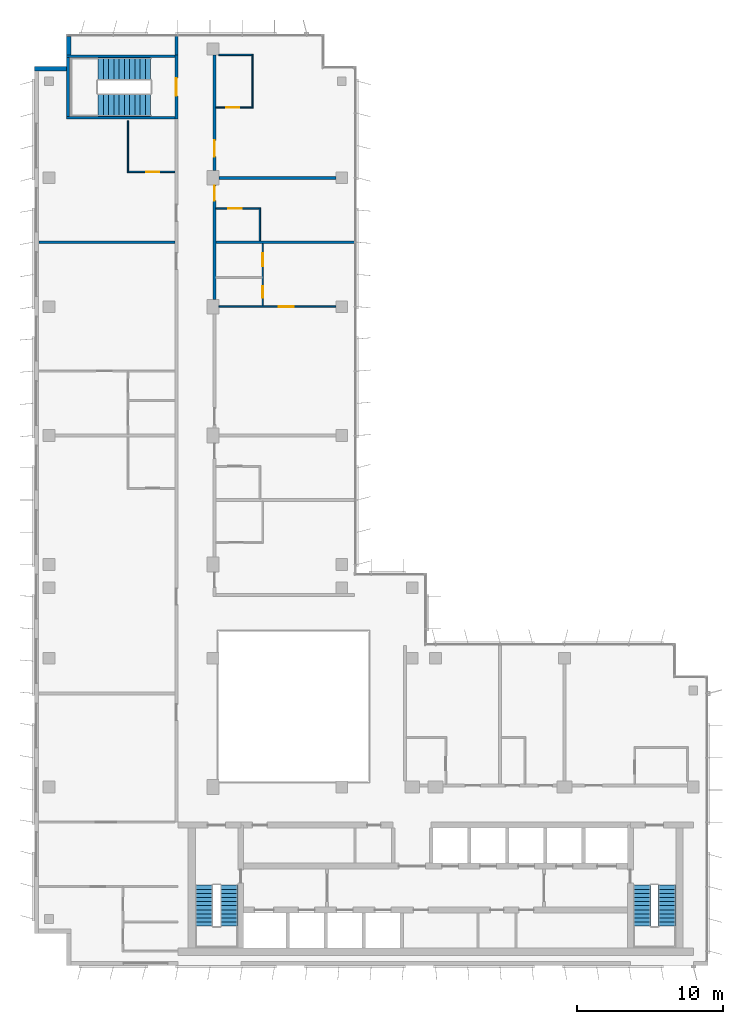
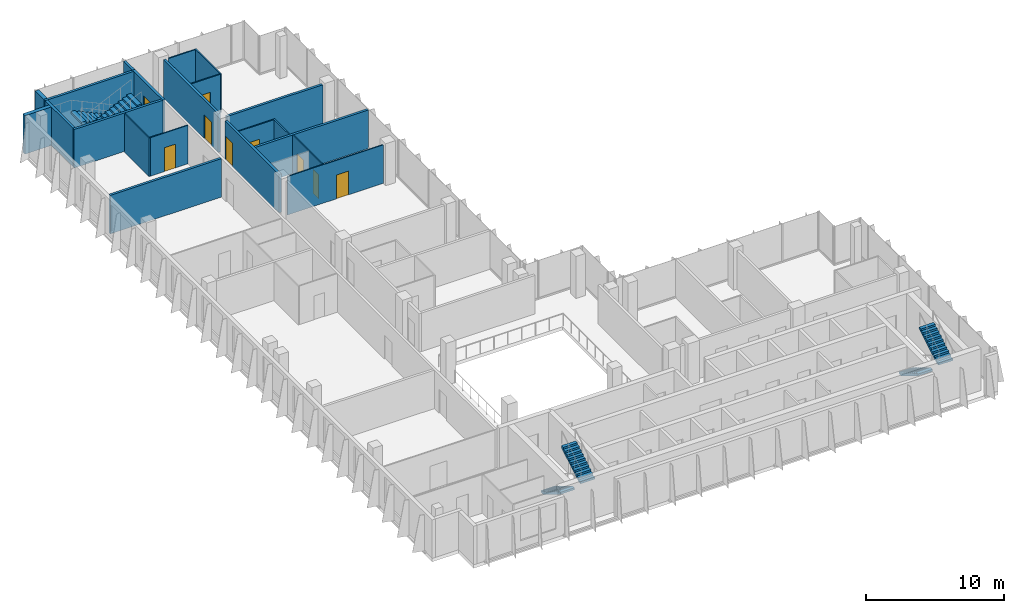
# One storey, part 12 of 15: 21 walls, 9 doors, 6 stair flights, 9 openings, 3 elements without a shape of their own.
"""IFC4 building model written with IfcOpenShell, lengths in metres."""

from ifc_helpers import new_model, si_unit, direction, frame, frame_2d, origin, place, context, subcontext, project, spatial, polyline, rectangle, outline, extrude, material, layer, layer_set, type_object, element, fill, aggregate, save


model = new_model("IFC4")

# Units and contexts
model_context = context("Model", 3, precision=1e-05, world=origin(), true_north=direction((0.0, 1.0)))
body_context = subcontext(model_context, "Body", "Model", "MODEL_VIEW")
ifc_project = project(units=[si_unit("LENGTHUNIT", "METRE"), si_unit("AREAUNIT", "SQUARE_METRE"), si_unit("VOLUMEUNIT", "CUBIC_METRE"), si_unit("PLANEANGLEUNIT", "RADIAN"), si_unit("MASSUNIT", "GRAM", prefix="KILO")], contexts=[model_context])

# Site, building, storey
site_placement = place(None, origin())
site = spatial("IfcSite", under=ifc_project, at=site_placement, CompositionType="ELEMENT")
building_placement = place(site_placement, origin())
building = spatial("IfcBuilding", under=site, at=building_placement, Name="Kemantara Hotel Tower", CompositionType="ELEMENT")
storey_placement = place(building_placement, frame((0.0, 0.0, 237.60009765625)))
storey = spatial("IfcBuildingStorey", under=building, at=storey_placement, Name="L59", CompositionType="ELEMENT", Elevation=237.60009765625)

# Walls
ifc_material_1 = material(Name="Bronze anodised aluminium cladding on insulated steel stud wall", Category="steel")
ifc_layer_1 = layer(ifc_material_1, 0.300048828125)
ifc_layer_set_1 = layer_set([ifc_layer_1], Name="Bronze anodised aluminium cladding on insulated steel stud wall")
wall_type_1 = type_object("IfcWallType", Name="BRONZE METAL-CLAD EXTERNAL WALL 300", PredefinedType="STANDARD", material=ifc_layer_set_1)
wall_1_placement = place(storey_placement, frame((2.35009765625, 63.449951171875, 0.0), z_axis=(0.0, 0.0, 1.0), x_axis=(0.0, -1.0, 0.0)))
element("IfcWall", 1, at=wall_1_placement, inside=storey, type_object=wall_type_1, Name="EXTERNAL WALL L59 T4-R03", PredefinedType="STANDARD", context=body_context, shape_type="SweptSolid", body=[
    extrude(rectangle(XDim=1.25, YDim=0.300048828125, at=frame_2d((0.625, 0.0))), origin(), (0.0, 0.0, 1.0), 3.39990234375),
])
wall_2_placement = place(storey_placement, frame((2.199951171875, 61.25, 0.0), z_axis=(0.0, 0.0, 1.0), x_axis=(-1.0, 0.0, 0.0)))
element("IfcWall", 2, at=wall_2_placement, inside=storey, type_object=wall_type_1, Name="EXTERNAL WALL L59 T4-R04", PredefinedType="STANDARD", context=body_context, shape_type="SweptSolid", body=[
    extrude(rectangle(XDim=2.199951171875, YDim=0.300048828125, at=frame_2d((1.10009765625, 0.0))), origin(), (0.0, 0.0, 1.0), 3.39990234375),
])
ifc_material_2 = material(Name="Gypsum board partition, steel studs and mineral wool, 200 mm", Category="steel")
ifc_layer_2 = layer(ifc_material_2, 0.199951171875)
ifc_layer_set_2 = layer_set([ifc_layer_2], Name="Gypsum board partition, steel studs and mineral wool, 200 mm")
wall_type_2 = type_object("IfcWallType", Name="CORRIDOR WALL 200", PredefinedType="PARTITIONING", material=ifc_layer_set_2)
wall_3_placement = place(storey_placement, frame((9.699951171875, 62.199951171875, 0.0), z_axis=(0.0, 0.0, 1.0), x_axis=(0.0, 1.0, 0.0)))
element("IfcWall", 3, at=wall_3_placement, inside=storey, type_object=wall_type_2, Name="CORRIDOR WALL 200 008", PredefinedType="PARTITIONING", context=body_context, shape_type="SweptSolid", body=[
    extrude(rectangle(XDim=1.280029296875, YDim=0.199951171875, at=frame_2d((0.64013671875, 0.0))), origin(), (0.0, 0.0, 1.0), 3.39990234375),
])

# Wall, opening, door
wall_4_placement = place(storey_placement, frame((12.300048828125, 53.2998046875, 0.0), z_axis=(0.0, 0.0, 1.0), x_axis=(0.0, -1.0, 0.0)))
wall_4 = element("IfcWall", 4, at=wall_4_placement, inside=storey, type_object=wall_type_2, Name="CORRIDOR WALL 200 017", PredefinedType="PARTITIONING", context=body_context, shape_type="SweptSolid", body=[
    extrude(rectangle(XDim=7.7998046875, YDim=0.199951171875, at=frame_2d((3.89990234375, 0.0))), origin(), (0.0, 0.0, 1.0), 3.39990234375),
])
opening_1_placement = place(wall_4_placement, frame((0.0498046875, 0.0, 0.0)))
opening_1 = element("IfcOpeningElement", 5, at=opening_1_placement, cuts=wall_4, Name="Opening F29-028", PredefinedType="OPENING", context=body_context, shape_type="SweptSolid", body=[
    extrude(rectangle(XDim=1.0, YDim=2.10009765625, at=frame_2d((0.5, 1.050048828125))), frame((0.0, 0.10986328125, 0.0), z_axis=(0.0, -1.0, 0.0), x_axis=(1.0, 0.0, 0.0)), (0.0, 0.0, 1.0), 0.219970703125),
])
ifc_material_3 = material(Name="Hardwood veneer door leaf with steel frame", Category="steel")
door_type_1 = type_object("IfcDoorType", Name="GUEST ROOM DOOR 1000 X 2100 FD30S", OperationType="NOTDEFINED", PredefinedType="DOOR", material=ifc_material_3)
door_1_placement = place(opening_1_placement, origin())
door_1 = element("IfcDoor", 6, at=door_1_placement, inside=storey, type_object=door_type_1, Name="GUEST ROOM DOOR F29-028", OperationType="SINGLE_SWING_LEFT", OverallHeight=2.10009765625, OverallWidth=1.0, PredefinedType="DOOR", context=body_context, shape_type="SweptSolid", body=[
    extrude(rectangle(XDim=1.0, YDim=2.10009765625, at=frame_2d((0.5, 1.050048828125))), frame((0.0, 0.02490234375, 0.0), z_axis=(0.0, -1.0, 0.0), x_axis=(1.0, 0.0, 0.0)), (0.0, 0.0, 1.0), 0.050048828125),
])
fill(opening_1, door_1)

wall_5_placement = place(storey_placement, frame((12.300048828125, 62.199951171875, 0.0), z_axis=(0.0, 0.0, 1.0), x_axis=(0.0, -1.0, 0.0)))
wall_5 = element("IfcWall", 7, at=wall_5_placement, inside=storey, type_object=wall_type_2, Name="CORRIDOR WALL 200 018", PredefinedType="PARTITIONING", context=body_context, shape_type="SweptSolid", body=[
    extrude(rectangle(XDim=7.89990234375, YDim=0.199951171875, at=frame_2d((3.949951171875, 0.0))), origin(), (0.0, 0.0, 1.0), 3.39990234375),
])
opening_2_placement = place(wall_5_placement, frame((5.849853515625, 0.0, 0.0)))
opening_2 = element("IfcOpeningElement", 8, at=opening_2_placement, cuts=wall_5, Name="Opening F29-030", PredefinedType="OPENING", context=body_context, shape_type="SweptSolid", body=[
    extrude(rectangle(XDim=1.10009765625, YDim=2.10009765625, at=frame_2d((0.550048828125, 1.050048828125))), frame((0.0, 0.10986328125, 0.0), z_axis=(0.0, -1.0, 0.0), x_axis=(1.0, 0.0, 0.0)), (0.0, 0.0, 1.0), 0.219970703125),
])
door_type_2 = type_object("IfcDoorType", Name="SUITE ENTRANCE DOOR 1100 X 2100 FD30S", OperationType="NOTDEFINED", PredefinedType="DOOR", material=ifc_material_3)
door_2_placement = place(opening_2_placement, origin())
door_2 = element("IfcDoor", 9, at=door_2_placement, inside=storey, type_object=door_type_2, Name="SUITE ENTRANCE DOOR F29-030", OperationType="SINGLE_SWING_RIGHT", OverallHeight=2.10009765625, OverallWidth=1.10009765625, PredefinedType="DOOR", context=body_context, shape_type="SweptSolid", body=[
    extrude(rectangle(XDim=1.10009765625, YDim=2.10009765625, at=frame_2d((0.550048828125, 1.050048828125))), frame((0.0, 0.02490234375, 0.0), z_axis=(0.0, -1.0, 0.0), x_axis=(1.0, 0.0, 0.0)), (0.0, 0.0, 1.0), 0.050048828125),
])
fill(opening_2, door_2)

ifc_material_4 = material(Name="Concrete fc 40 MPa", Category="concrete")
ifc_layer_3 = layer(ifc_material_4, 0.199951171875)
ifc_layer_set_3 = layer_set([ifc_layer_3], Name="Concrete fc 40 MPa")
wall_type_3 = type_object("IfcWallType", Name="Concrete stair wall 200 mm", PredefinedType="SHEAR", material=ifc_layer_set_3)
wall_6_placement = place(storey_placement, frame((9.699951171875, 57.800048828125, 0.0), z_axis=(0.0, 0.0, 1.0), x_axis=(0.0, 1.0, 0.0)))
wall_6 = element("IfcWall", 10, at=wall_6_placement, inside=storey, type_object=wall_type_3, Name="Stair ST4 enclosure wall with door", PredefinedType="SHEAR", context=body_context, shape_type="SweptSolid", body=[
    extrude(rectangle(XDim=4.39990234375, YDim=0.199951171875, at=frame_2d((2.199951171875, 0.0))), origin(), (0.0, 0.0, 1.0), 3.39990234375),
])
opening_3_placement = place(wall_6_placement, frame((1.60009765625, 0.0, 0.0)))
opening_3 = element("IfcOpeningElement", 11, at=opening_3_placement, cuts=wall_6, Name="Opening ST4-C", PredefinedType="OPENING", context=body_context, shape_type="SweptSolid", body=[
    extrude(rectangle(XDim=1.199951171875, YDim=2.10009765625, at=frame_2d((0.60009765625, 1.050048828125))), frame((0.0, 0.10986328125, 0.0), z_axis=(0.0, -1.0, 0.0), x_axis=(1.0, 0.0, 0.0)), (0.0, 0.0, 1.0), 0.219970703125),
])
ifc_material_5 = material(Name="Steel fire door", Category="steel")
door_type_3 = type_object("IfcDoorType", Name="Fire door FD90 1200 x 2100", OperationType="NOTDEFINED", PredefinedType="DOOR", material=ifc_material_5)
door_3_placement = place(opening_3_placement, origin())
door_3 = element("IfcDoor", 12, at=door_3_placement, inside=storey, type_object=door_type_3, Name="Stair ST4 door", OperationType="SINGLE_SWING_RIGHT", OverallHeight=2.10009765625, OverallWidth=1.199951171875, PredefinedType="DOOR", context=body_context, shape_type="SweptSolid", body=[
    extrude(rectangle(XDim=1.199951171875, YDim=2.10009765625, at=frame_2d((0.60009765625, 1.050048828125))), frame((0.0, 0.02490234375, 0.0), z_axis=(0.0, -1.0, 0.0), x_axis=(1.0, 0.0, 0.0)), (0.0, 0.0, 1.0), 0.050048828125),
])
fill(opening_3, door_3)

# Walls
for number, where, z_axis, x_axis, name in (
    (13, (2.199951171875, 62.10009765625, 0.0), (0.0, 0.0, 1.0), (1.0, 0.0, 0.0), "Stair ST4 enclosure wall N"),
    (14, (2.199951171875, 57.89990234375, 0.0), (0.0, 0.0, 1.0), (1.0, 0.0, 0.0), "Stair ST4 enclosure wall S"),
):
    element("IfcWall", number, at=place(storey_placement, frame(where, z_axis=z_axis, x_axis=x_axis)), inside=storey, type_object=wall_type_3, Name=name, PredefinedType="SHEAR", context=body_context, shape_type="SweptSolid", body=[
        extrude(rectangle(XDim=7.400146484375, YDim=0.199951171875, at=frame_2d((3.7001953125, 0.0))), origin(), (0.0, 0.0, 1.0), 3.39990234375),
    ])
wall_7_placement = place(storey_placement, frame((2.300048828125, 58.0, 0.0), z_axis=(0.0, 0.0, 1.0), x_axis=(0.0, 1.0, 0.0)))
element("IfcWall", 15, at=wall_7_placement, inside=storey, type_object=wall_type_3, Name="Stair ST4 enclosure wall W", PredefinedType="SHEAR", context=body_context, shape_type="SweptSolid", body=[
    extrude(rectangle(XDim=4.0, YDim=0.199951171875, at=frame_2d((2.0, 0.0))), origin(), (0.0, 0.0, 1.0), 3.39990234375),
])
ifc_layer_4 = layer(ifc_material_2, 0.199951171875)
ifc_layer_set_4 = layer_set([ifc_layer_4], Name="Gypsum board partition, steel studs and mineral wool, 200 mm")
wall_type_4 = type_object("IfcWallType", Name="GUEST ROOM PARTY WALL 200", PredefinedType="PARTITIONING", material=ifc_layer_set_4)
wall_8_placement = place(storey_placement, frame((0.31005859375, 49.39990234375, 0.0), z_axis=(0.0, 0.0, 1.0), x_axis=(1.0, 0.0, 0.0)))
element("IfcWall", 16, at=wall_8_placement, inside=storey, type_object=wall_type_4, Name="GUEST ROOM PARTY WALL 200 012", PredefinedType="PARTITIONING", context=body_context, shape_type="SweptSolid", body=[
    extrude(rectangle(XDim=9.2900390625, YDim=0.199951171875, at=frame_2d((4.64501953125, 0.0))), origin(), (0.0, 0.0, 1.0), 3.39990234375),
])
wall_9_placement = place(storey_placement, frame((12.39990234375, 49.39990234375, 0.0), z_axis=(0.0, 0.0, 1.0), x_axis=(1.0, 0.0, 0.0)))
element("IfcWall", 17, at=wall_9_placement, inside=storey, type_object=wall_type_4, Name="GUEST ROOM PARTY WALL 200 013", PredefinedType="PARTITIONING", context=body_context, shape_type="SweptSolid", body=[
    extrude(rectangle(XDim=9.47021484375, YDim=0.199951171875, at=frame_2d((4.735107421875, 0.0))), origin(), (0.0, 0.0, 1.0), 3.39990234375),
])
wall_10_placement = place(storey_placement, frame((12.60009765625, 53.800048828125, 0.0), z_axis=(0.0, 0.0, 1.0), x_axis=(1.0, 0.0, 0.0)))
element("IfcWall", 18, at=wall_10_placement, inside=storey, type_object=wall_type_4, Name="GUEST ROOM PARTY WALL 200 021", PredefinedType="PARTITIONING", context=body_context, shape_type="SweptSolid", body=[
    extrude(rectangle(XDim=7.999755859375, YDim=0.199951171875, at=frame_2d((4.0, 0.0))), origin(), (0.0, 0.0, 1.0), 3.39990234375),
])
ifc_material_6 = material(Name="Gypsum board partition on steel studs, 100 mm", Category="steel")
ifc_layer_5 = layer(ifc_material_6, 0.10009765625)
ifc_layer_set_5 = layer_set([ifc_layer_5], Name="Gypsum board partition on steel studs, 100 mm")
wall_type_5 = type_object("IfcWallType", Name="ROOM PARTITION 100", PredefinedType="PARTITIONING", material=ifc_layer_set_5)
wall_11_placement = place(storey_placement, frame((6.39990234375, 54.14990234375, 0.0), z_axis=(0.0, 0.0, 1.0), x_axis=(0.0, 1.0, 0.0)))
element("IfcWall", 19, at=wall_11_placement, inside=storey, type_object=wall_type_5, Name="ROOM PARTITION 100 036", PredefinedType="PARTITIONING", context=body_context, shape_type="SweptSolid", body=[
    extrude(rectangle(XDim=3.550048828125, YDim=0.10009765625, at=frame_2d((1.77490234375, 0.0))), origin(), (0.0, 0.0, 1.0), 3.39990234375),
])

# Wall, opening, door
wall_12_placement = place(storey_placement, frame((6.449951171875, 54.199951171875, 0.0), z_axis=(0.0, 0.0, 1.0), x_axis=(1.0, 0.0, 0.0)))
wall_12 = element("IfcWall", 20, at=wall_12_placement, inside=storey, type_object=wall_type_5, Name="ROOM PARTITION 100 040", PredefinedType="PARTITIONING", context=body_context, shape_type="SweptSolid", body=[
    extrude(rectangle(XDim=3.150146484375, YDim=0.10009765625, at=frame_2d((1.5751953125, 0.0))), origin(), (0.0, 0.0, 1.0), 3.39990234375),
])
opening_4_placement = place(wall_12_placement, frame((1.199951171875, 0.0, 0.0)))
opening_4 = element("IfcOpeningElement", 21, at=opening_4_placement, cuts=wall_12, Name="Opening F29-019", PredefinedType="OPENING", context=body_context, shape_type="SweptSolid", body=[
    extrude(rectangle(XDim=0.89990234375, YDim=2.10009765625, at=frame_2d((0.449951171875, 1.050048828125))), frame((0.0, 0.06005859375, 0.0), z_axis=(0.0, -1.0, 0.0), x_axis=(1.0, 0.0, 0.0)), (0.0, 0.0, 1.0), 0.1201171875),
])
door_type_4 = type_object("IfcDoorType", Name="BATHROOM DOOR 900 X 2100", OperationType="NOTDEFINED", PredefinedType="DOOR", material=ifc_material_3)
door_4_placement = place(opening_4_placement, origin())
door_4 = element("IfcDoor", 22, at=door_4_placement, inside=storey, type_object=door_type_4, Name="BATHROOM DOOR F29-019", OperationType="SINGLE_SWING_RIGHT", OverallHeight=2.10009765625, OverallWidth=0.89990234375, PredefinedType="DOOR", context=body_context, shape_type="SweptSolid", body=[
    extrude(rectangle(XDim=0.89990234375, YDim=2.10009765625, at=frame_2d((0.449951171875, 1.050048828125))), frame((0.0, 0.02490234375, 0.0), z_axis=(0.0, -1.0, 0.0), x_axis=(1.0, 0.0, 0.0)), (0.0, 0.0, 1.0), 0.050048828125),
])
fill(opening_4, door_4)

# Wall, openings, doors
wall_13_placement = place(storey_placement, frame((15.60009765625, 45.050048828125, 0.0), z_axis=(0.0, 0.0, 1.0), x_axis=(0.0, 1.0, 0.0)))
wall_13 = element("IfcWall", 23, at=wall_13_placement, inside=storey, type_object=wall_type_5, Name="ROOM PARTITION 100 042", PredefinedType="PARTITIONING", context=body_context, shape_type="SweptSolid", body=[
    extrude(rectangle(XDim=4.25, YDim=0.10009765625, at=frame_2d((2.125, 0.0))), origin(), (0.0, 0.0, 1.0), 3.39990234375),
])
opening_5_placement = place(wall_13_placement, frame((2.699951171875, 0.0, 0.0)))
opening_5 = element("IfcOpeningElement", 24, at=opening_5_placement, cuts=wall_13, Name="Opening F29-026", PredefinedType="OPENING", context=body_context, shape_type="SweptSolid", body=[
    extrude(rectangle(XDim=0.89990234375, YDim=2.10009765625, at=frame_2d((0.449951171875, 1.050048828125))), frame((0.0, 0.06005859375, 0.0), z_axis=(0.0, -1.0, 0.0), x_axis=(1.0, 0.0, 0.0)), (0.0, 0.0, 1.0), 0.1201171875),
])
opening_6_placement = place(wall_13_placement, frame((0.550048828125, 0.0, 0.0)))
opening_6 = element("IfcOpeningElement", 25, at=opening_6_placement, cuts=wall_13, Name="Opening F29-027", PredefinedType="OPENING", context=body_context, shape_type="SweptSolid", body=[
    extrude(rectangle(XDim=0.800048828125, YDim=2.10009765625, at=frame_2d((0.39990234375, 1.050048828125))), frame((0.0, 0.06005859375, 0.0), z_axis=(0.0, -1.0, 0.0), x_axis=(1.0, 0.0, 0.0)), (0.0, 0.0, 1.0), 0.1201171875),
])
door_5_placement = place(opening_5_placement, origin())
door_5 = element("IfcDoor", 26, at=door_5_placement, inside=storey, type_object=door_type_4, Name="BATHROOM DOOR F29-026", OperationType="SINGLE_SWING_LEFT", OverallHeight=2.10009765625, OverallWidth=0.89990234375, PredefinedType="DOOR", context=body_context, shape_type="SweptSolid", body=[
    extrude(rectangle(XDim=0.89990234375, YDim=2.10009765625, at=frame_2d((0.449951171875, 1.050048828125))), frame((0.0, 0.02490234375, 0.0), z_axis=(0.0, -1.0, 0.0), x_axis=(1.0, 0.0, 0.0)), (0.0, 0.0, 1.0), 0.050048828125),
])
fill(opening_5, door_5)
door_type_5 = type_object("IfcDoorType", Name="WARDROBE DOOR 800 X 2100", OperationType="NOTDEFINED", PredefinedType="DOOR", material=ifc_material_3)
door_6_placement = place(opening_6_placement, origin())
door_6 = element("IfcDoor", 27, at=door_6_placement, inside=storey, type_object=door_type_5, Name="WARDROBE DOOR F29-027", OperationType="SINGLE_SWING_LEFT", OverallHeight=2.10009765625, OverallWidth=0.800048828125, PredefinedType="DOOR", context=body_context, shape_type="SweptSolid", body=[
    extrude(rectangle(XDim=0.800048828125, YDim=2.10009765625, at=frame_2d((0.39990234375, 1.050048828125))), frame((0.0, 0.02490234375, 0.0), z_axis=(0.0, -1.0, 0.0), x_axis=(1.0, 0.0, 0.0)), (0.0, 0.0, 1.0), 0.050048828125),
])
fill(opening_6, door_6)

# Wall
wall_14_placement = place(storey_placement, frame((15.39990234375, 49.5, 0.0), z_axis=(0.0, 0.0, 1.0), x_axis=(0.0, 1.0, 0.0)))
element("IfcWall", 28, at=wall_14_placement, inside=storey, type_object=wall_type_5, Name="ROOM PARTITION 100 045", PredefinedType="PARTITIONING", context=body_context, shape_type="SweptSolid", body=[
    extrude(rectangle(XDim=2.25, YDim=0.10009765625, at=frame_2d((1.125, 0.0))), origin(), (0.0, 0.0, 1.0), 3.39990234375),
])

# Wall, opening, door
wall_15_placement = place(storey_placement, frame((12.60009765625, 45.0, 0.0), z_axis=(0.0, 0.0, 1.0), x_axis=(1.0, 0.0, 0.0)))
wall_15 = element("IfcWall", 29, at=wall_15_placement, inside=storey, type_object=wall_type_5, Name="ROOM PARTITION 100 047", PredefinedType="PARTITIONING", context=body_context, shape_type="SweptSolid", body=[
    extrude(rectangle(XDim=7.999755859375, YDim=0.10009765625, at=frame_2d((4.0, 0.0))), origin(), (0.0, 0.0, 1.0), 3.39990234375),
])
opening_7_placement = place(wall_15_placement, frame((4.099853515625, 0.0, 0.0)))
opening_7 = element("IfcOpeningElement", 30, at=opening_7_placement, cuts=wall_15, Name="Opening F29-025", PredefinedType="OPENING", context=body_context, shape_type="SweptSolid", body=[
    extrude(rectangle(XDim=1.0, YDim=2.10009765625, at=frame_2d((0.5, 1.050048828125))), frame((0.0, 0.06005859375, 0.0), z_axis=(0.0, -1.0, 0.0), x_axis=(1.0, 0.0, 0.0)), (0.0, 0.0, 1.0), 0.1201171875),
])
door_type_6 = type_object("IfcDoorType", Name="INTERNAL DOOR 1000 X 2100", OperationType="NOTDEFINED", PredefinedType="DOOR", material=ifc_material_3)
door_7_placement = place(opening_7_placement, origin())
door_7 = element("IfcDoor", 31, at=door_7_placement, inside=storey, type_object=door_type_6, Name="INTERNAL DOOR F29-025", OperationType="SINGLE_SWING_LEFT", OverallHeight=2.10009765625, OverallWidth=1.0, PredefinedType="DOOR", context=body_context, shape_type="SweptSolid", body=[
    extrude(rectangle(XDim=1.0, YDim=2.10009765625, at=frame_2d((0.5, 1.050048828125))), frame((0.0, 0.02490234375, 0.0), z_axis=(0.0, -1.0, 0.0), x_axis=(1.0, 0.0, 0.0)), (0.0, 0.0, 1.0), 0.050048828125),
])
fill(opening_7, door_7)

wall_16_placement = place(storey_placement, frame((15.35009765625, 51.699951171875, 0.0), z_axis=(0.0, 0.0, 1.0), x_axis=(-1.0, 0.0, 0.0)))
wall_16 = element("IfcWall", 32, at=wall_16_placement, inside=storey, type_object=wall_type_5, Name="ROOM PARTITION 100 049", PredefinedType="PARTITIONING", context=body_context, shape_type="SweptSolid", body=[
    extrude(rectangle(XDim=2.9501953125, YDim=0.10009765625, at=frame_2d((1.47509765625, 0.0))), origin(), (0.0, 0.0, 1.0), 3.39990234375),
])
opening_8_placement = place(wall_16_placement, frame((1.199951171875, 0.0, 0.0)))
opening_8 = element("IfcOpeningElement", 33, at=opening_8_placement, cuts=wall_16, Name="Opening F29-029", PredefinedType="OPENING", context=body_context, shape_type="SweptSolid", body=[
    extrude(rectangle(XDim=0.89990234375, YDim=2.10009765625, at=frame_2d((0.449951171875, 1.050048828125))), frame((0.0, 0.06005859375, 0.0), z_axis=(0.0, -1.0, 0.0), x_axis=(1.0, 0.0, 0.0)), (0.0, 0.0, 1.0), 0.1201171875),
])
door_8_placement = place(opening_8_placement, origin())
door_8 = element("IfcDoor", 34, at=door_8_placement, inside=storey, type_object=door_type_4, Name="BATHROOM DOOR F29-029", OperationType="SINGLE_SWING_RIGHT", OverallHeight=2.10009765625, OverallWidth=0.89990234375, PredefinedType="DOOR", context=body_context, shape_type="SweptSolid", body=[
    extrude(rectangle(XDim=0.89990234375, YDim=2.10009765625, at=frame_2d((0.449951171875, 1.050048828125))), frame((0.0, 0.02490234375, 0.0), z_axis=(0.0, -1.0, 0.0), x_axis=(1.0, 0.0, 0.0)), (0.0, 0.0, 1.0), 0.050048828125),
])
fill(opening_8, door_8)

# Wall
wall_17_placement = place(storey_placement, frame((14.89990234375, 58.550048828125, 0.0), z_axis=(0.0, 0.0, 1.0), x_axis=(0.0, 1.0, 0.0)))
element("IfcWall", 35, at=wall_17_placement, inside=storey, type_object=wall_type_5, Name="ROOM PARTITION 100 050", PredefinedType="PARTITIONING", context=body_context, shape_type="SweptSolid", body=[
    extrude(rectangle(XDim=3.699951171875, YDim=0.10009765625, at=frame_2d((1.85009765625, 0.0))), origin(), (0.0, 0.0, 1.0), 3.39990234375),
])

# Wall, opening, door
wall_18_placement = place(storey_placement, frame((12.39990234375, 58.60009765625, 0.0), z_axis=(0.0, 0.0, 1.0), x_axis=(1.0, 0.0, 0.0)))
wall_18 = element("IfcWall", 36, at=wall_18_placement, inside=storey, type_object=wall_type_5, Name="ROOM PARTITION 100 051", PredefinedType="PARTITIONING", context=body_context, shape_type="SweptSolid", body=[
    extrude(rectangle(XDim=2.4501953125, YDim=0.10009765625, at=frame_2d((1.22509765625, 0.0))), origin(), (0.0, 0.0, 1.0), 3.39990234375),
])
opening_9_placement = place(wall_18_placement, frame((0.699951171875, 0.0, 0.0)))
opening_9 = element("IfcOpeningElement", 37, at=opening_9_placement, cuts=wall_18, Name="Opening F29-031", PredefinedType="OPENING", context=body_context, shape_type="SweptSolid", body=[
    extrude(rectangle(XDim=0.89990234375, YDim=2.10009765625, at=frame_2d((0.449951171875, 1.050048828125))), frame((0.0, 0.06005859375, 0.0), z_axis=(0.0, -1.0, 0.0), x_axis=(1.0, 0.0, 0.0)), (0.0, 0.0, 1.0), 0.1201171875),
])
door_9_placement = place(opening_9_placement, origin())
door_9 = element("IfcDoor", 38, at=door_9_placement, inside=storey, type_object=door_type_4, Name="BATHROOM DOOR F29-031", OperationType="SINGLE_SWING_LEFT", OverallHeight=2.10009765625, OverallWidth=0.89990234375, PredefinedType="DOOR", context=body_context, shape_type="SweptSolid", body=[
    extrude(rectangle(XDim=0.89990234375, YDim=2.10009765625, at=frame_2d((0.449951171875, 1.050048828125))), frame((0.0, 0.02490234375, 0.0), z_axis=(0.0, -1.0, 0.0), x_axis=(1.0, 0.0, 0.0)), (0.0, 0.0, 1.0), 0.050048828125),
])
fill(opening_9, door_9)

# Wall
wall_19_placement = place(storey_placement, frame((12.60009765625, 62.199951171875, 0.0), z_axis=(0.0, 0.0, 1.0), x_axis=(1.0, 0.0, 0.0)))
element("IfcWall", 39, at=wall_19_placement, inside=storey, type_object=wall_type_5, Name="ROOM PARTITION 100 052", PredefinedType="PARTITIONING", context=body_context, shape_type="SweptSolid", body=[
    extrude(rectangle(XDim=2.25, YDim=0.10009765625, at=frame_2d((1.125, 0.0))), origin(), (0.0, 0.0, 1.0), 3.39990234375),
])

# Stair, stair flights
stair_type_1 = type_object("IfcStairType", Name="Stair 1200 wide 22 risers of 168 x 280 mm", PredefinedType="HALF_TURN_STAIR", material=ifc_material_4)
stair_1_placement = place(storey_placement, origin())
stair_1 = element("IfcStair", 40, at=stair_1_placement, inside=storey, type_object=stair_type_1, Name="L59 Exit stair ST1", PredefinedType="HALF_TURN_STAIR")
stair_flight_type_1 = type_object("IfcStairFlightType", Name="Stair flight 1200 wide 168 x 280 mm", PredefinedType="STRAIGHT", material=ifc_material_4)
stair_flight_1_placement = place(storey_placement, frame((11.60009765625, 5.5, 0.0), z_axis=(0.0, 0.0, 1.0), x_axis=(0.0, -1.0, 0.0)))
stair_flight_1 = element("IfcStairFlight", 41, at=stair_flight_1_placement, type_object=stair_flight_type_1, Name="ST1 flight 1", NumberOfRisers=11, NumberOfTreads=10, PredefinedType="STRAIGHT", RiserHeight=0.168181818, TreadLength=0.28, context=body_context, shape_type="SweptSolid", body=[
    extrude(outline(polyline([(0.0, 0.0), (0.0, 0.168212890625), (0.280029296875, 0.168212890625), (0.280029296875, 0.33642578125), (0.56005859375, 0.33642578125), (0.56005859375, 0.504638671875), (0.840087890625, 0.504638671875), (0.840087890625, 0.672607421875), (1.1201171875, 0.672607421875), (1.1201171875, 0.8408203125), (1.39990234375, 0.8408203125), (1.39990234375, 1.009033203125), (1.679931640625, 1.009033203125), (1.679931640625, 1.17724609375), (1.9599609375, 1.17724609375), (1.9599609375, 1.345458984375), (2.239990234375, 1.345458984375), (2.239990234375, 1.513671875), (2.52001953125, 1.513671875), (2.52001953125, 1.681884765625), (2.800048828125, 1.681884765625), (2.800048828125, 1.85009765625), (2.800048828125, 1.5068359375), (0.291015625, 0.0), (0.0, 0.0)])), frame((0.0, 0.60009765625, 0.0), z_axis=(0.0, -1.0, 0.0), x_axis=(1.0, 0.0, 0.0)), (0.0, 0.0, 1.0), 1.199951171875),
])
stair_flight_2_placement = place(storey_placement, frame((13.300048828125, 2.699951171875, 1.849853515625), z_axis=(0.0, 0.0, 1.0), x_axis=(0.0, 1.0, 0.0)))
stair_flight_2 = element("IfcStairFlight", 42, at=stair_flight_2_placement, type_object=stair_flight_type_1, Name="ST1 flight 2", NumberOfRisers=11, NumberOfTreads=10, PredefinedType="STRAIGHT", RiserHeight=0.168181818, TreadLength=0.28, context=body_context, shape_type="SweptSolid", body=[
    extrude(outline(polyline([(0.0, 0.0), (0.0, 0.168212890625), (0.280029296875, 0.168212890625), (0.280029296875, 0.33642578125), (0.56005859375, 0.33642578125), (0.56005859375, 0.504638671875), (0.840087890625, 0.504638671875), (0.840087890625, 0.672607421875), (1.1201171875, 0.672607421875), (1.1201171875, 0.8408203125), (1.39990234375, 0.8408203125), (1.39990234375, 1.009033203125), (1.679931640625, 1.009033203125), (1.679931640625, 1.17724609375), (1.9599609375, 1.17724609375), (1.9599609375, 1.345458984375), (2.239990234375, 1.345458984375), (2.239990234375, 1.513671875), (2.52001953125, 1.513671875), (2.52001953125, 1.681884765625), (2.800048828125, 1.681884765625), (2.800048828125, 1.85009765625), (2.800048828125, 1.5068359375), (0.291015625, 0.0), (0.0, 0.0)])), frame((0.0, 0.60009765625, 0.0), z_axis=(0.0, -1.0, 0.0), x_axis=(1.0, 0.0, 0.0)), (0.0, 0.0, 1.0), 1.199951171875),
])
aggregate(stair_1, [stair_flight_1, stair_flight_2])

stair_2_placement = place(storey_placement, origin())
stair_2 = element("IfcStair", 43, at=stair_2_placement, inside=storey, type_object=stair_type_1, Name="L59 Exit stair ST2", PredefinedType="HALF_TURN_STAIR")
stair_flight_3_placement = place(storey_placement, frame((41.5, 5.5, 0.0), z_axis=(0.0, 0.0, 1.0), x_axis=(0.0, -1.0, 0.0)))
stair_flight_3 = element("IfcStairFlight", 44, at=stair_flight_3_placement, type_object=stair_flight_type_1, Name="ST2 flight 1", NumberOfRisers=11, NumberOfTreads=10, PredefinedType="STRAIGHT", RiserHeight=0.168181818, TreadLength=0.28, context=body_context, shape_type="SweptSolid", body=[
    extrude(outline(polyline([(0.0, 0.0), (0.0, 0.168212890625), (0.280029296875, 0.168212890625), (0.280029296875, 0.33642578125), (0.56005859375, 0.33642578125), (0.56005859375, 0.504638671875), (0.840087890625, 0.504638671875), (0.840087890625, 0.672607421875), (1.1201171875, 0.672607421875), (1.1201171875, 0.8408203125), (1.39990234375, 0.8408203125), (1.39990234375, 1.009033203125), (1.679931640625, 1.009033203125), (1.679931640625, 1.17724609375), (1.9599609375, 1.17724609375), (1.9599609375, 1.345458984375), (2.239990234375, 1.345458984375), (2.239990234375, 1.513671875), (2.52001953125, 1.513671875), (2.52001953125, 1.681884765625), (2.800048828125, 1.681884765625), (2.800048828125, 1.85009765625), (2.800048828125, 1.5068359375), (0.291015625, 0.0), (0.0, 0.0)])), frame((0.0, 0.60009765625, 0.0), z_axis=(0.0, -1.0, 0.0), x_axis=(1.0, 0.0, 0.0)), (0.0, 0.0, 1.0), 1.199951171875),
])
stair_flight_4_placement = place(storey_placement, frame((43.199951171875, 2.699951171875, 1.849853515625), z_axis=(0.0, 0.0, 1.0), x_axis=(0.0, 1.0, 0.0)))
stair_flight_4 = element("IfcStairFlight", 45, at=stair_flight_4_placement, type_object=stair_flight_type_1, Name="ST2 flight 2", NumberOfRisers=11, NumberOfTreads=10, PredefinedType="STRAIGHT", RiserHeight=0.168181818, TreadLength=0.28, context=body_context, shape_type="SweptSolid", body=[
    extrude(outline(polyline([(0.0, 0.0), (0.0, 0.168212890625), (0.280029296875, 0.168212890625), (0.280029296875, 0.33642578125), (0.56005859375, 0.33642578125), (0.56005859375, 0.504638671875), (0.840087890625, 0.504638671875), (0.840087890625, 0.672607421875), (1.1201171875, 0.672607421875), (1.1201171875, 0.8408203125), (1.39990234375, 0.8408203125), (1.39990234375, 1.009033203125), (1.679931640625, 1.009033203125), (1.679931640625, 1.17724609375), (1.9599609375, 1.17724609375), (1.9599609375, 1.345458984375), (2.239990234375, 1.345458984375), (2.239990234375, 1.513671875), (2.52001953125, 1.513671875), (2.52001953125, 1.681884765625), (2.800048828125, 1.681884765625), (2.800048828125, 1.85009765625), (2.800048828125, 1.5068359375), (0.291015625, 0.0), (0.0, 0.0)])), frame((0.0, 0.60009765625, 0.0), z_axis=(0.0, -1.0, 0.0), x_axis=(1.0, 0.0, 0.0)), (0.0, 0.0, 1.0), 1.199951171875),
])
aggregate(stair_2, [stair_flight_3, stair_flight_4])

stair_type_2 = type_object("IfcStairType", Name="Stair 1550 wide 22 risers of 168 x 360 mm", PredefinedType="HALF_TURN_STAIR", material=ifc_material_4)
stair_3_placement = place(storey_placement, origin())
stair_3 = element("IfcStair", 46, at=stair_3_placement, inside=storey, type_object=stair_type_2, Name="L59 Exit stair ST4", PredefinedType="HALF_TURN_STAIR")
stair_flight_type_2 = type_object("IfcStairFlightType", Name="Stair flight 1550 wide 168 x 360 mm", PredefinedType="STRAIGHT", material=ifc_material_4)
stair_flight_5_placement = place(storey_placement, frame((7.949951171875, 61.22509765625, 0.0), z_axis=(0.0, 0.0, 1.0), x_axis=(-1.0, 0.0, 0.0)))
stair_flight_5 = element("IfcStairFlight", 47, at=stair_flight_5_placement, type_object=stair_flight_type_2, Name="ST4 flight 1", NumberOfRisers=11, NumberOfTreads=10, PredefinedType="STRAIGHT", RiserHeight=0.168181818, TreadLength=0.36, context=body_context, shape_type="SweptSolid", body=[
    extrude(outline(polyline([(0.0, 0.0), (0.0, 0.168212890625), (0.360107421875, 0.168212890625), (0.360107421875, 0.33642578125), (0.719970703125, 0.33642578125), (0.719970703125, 0.504638671875), (1.080078125, 0.504638671875), (1.080078125, 0.672607421875), (1.43994140625, 0.672607421875), (1.43994140625, 0.8408203125), (1.800048828125, 0.8408203125), (1.800048828125, 1.009033203125), (2.159912109375, 1.009033203125), (2.159912109375, 1.17724609375), (2.52001953125, 1.17724609375), (2.52001953125, 1.345458984375), (2.8798828125, 1.345458984375), (2.8798828125, 1.513671875), (3.239990234375, 1.513671875), (3.239990234375, 1.681884765625), (3.60009765625, 1.681884765625), (3.60009765625, 1.85009765625), (3.60009765625, 1.516357421875), (0.354248046875, 0.0), (0.0, 0.0)])), frame((0.0, 0.77490234375, 0.0), z_axis=(0.0, -1.0, 0.0), x_axis=(1.0, 0.0, 0.0)), (0.0, 0.0, 1.0), 1.550048828125),
])
stair_flight_6_placement = place(storey_placement, frame((4.35009765625, 58.77490234375, 1.849853515625), z_axis=(0.0, 0.0, 1.0), x_axis=(1.0, 0.0, 0.0)))
stair_flight_6 = element("IfcStairFlight", 48, at=stair_flight_6_placement, type_object=stair_flight_type_2, Name="ST4 flight 2", NumberOfRisers=11, NumberOfTreads=10, PredefinedType="STRAIGHT", RiserHeight=0.168181818, TreadLength=0.36, context=body_context, shape_type="SweptSolid", body=[
    extrude(outline(polyline([(0.0, 0.0), (0.0, 0.168212890625), (0.360107421875, 0.168212890625), (0.360107421875, 0.33642578125), (0.719970703125, 0.33642578125), (0.719970703125, 0.504638671875), (1.080078125, 0.504638671875), (1.080078125, 0.672607421875), (1.43994140625, 0.672607421875), (1.43994140625, 0.8408203125), (1.800048828125, 0.8408203125), (1.800048828125, 1.009033203125), (2.159912109375, 1.009033203125), (2.159912109375, 1.17724609375), (2.52001953125, 1.17724609375), (2.52001953125, 1.345458984375), (2.8798828125, 1.345458984375), (2.8798828125, 1.513671875), (3.239990234375, 1.513671875), (3.239990234375, 1.681884765625), (3.60009765625, 1.681884765625), (3.60009765625, 1.85009765625), (3.60009765625, 1.516357421875), (0.354248046875, 0.0), (0.0, 0.0)])), frame((0.0, 0.77490234375, 0.0), z_axis=(0.0, -1.0, 0.0), x_axis=(1.0, 0.0, 0.0)), (0.0, 0.0, 1.0), 1.550048828125),
])
aggregate(stair_3, [stair_flight_5, stair_flight_6])

save(model, "model.ifc")
